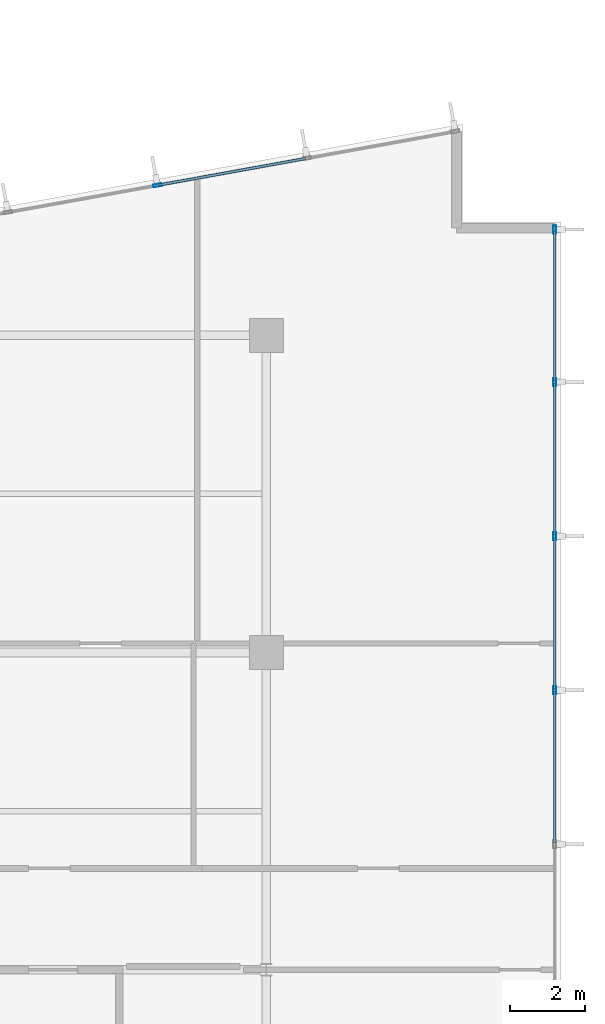
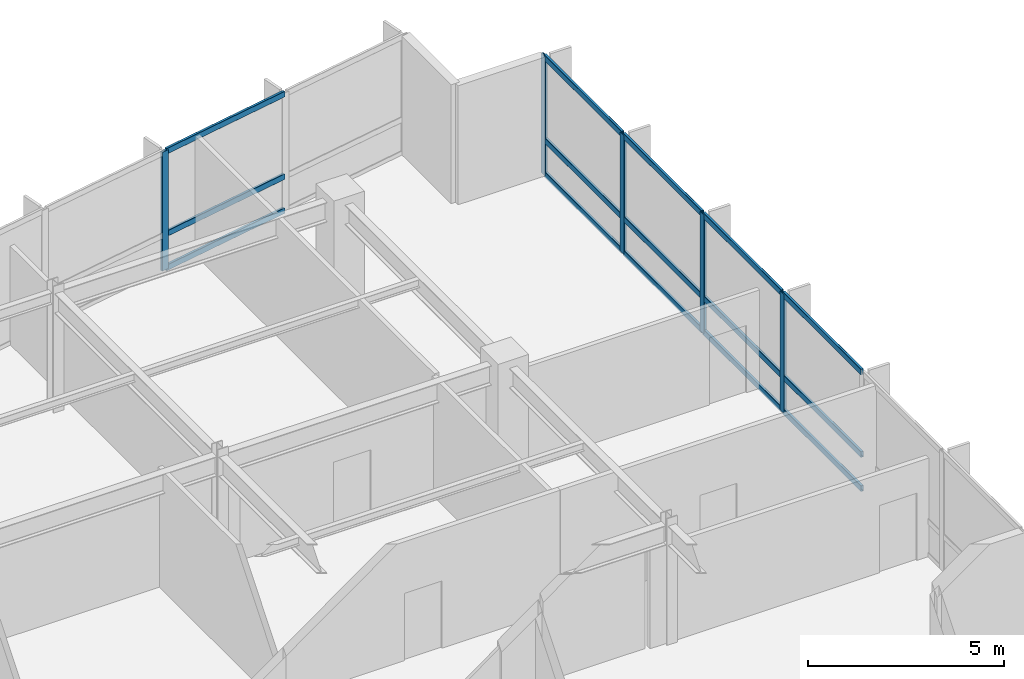
# One storey, part 9 of 21: 20 members, 2 elements without a shape of their own.
"""IFC4 building model written with IfcOpenShell, lengths in metres."""

from ifc_helpers import new_model, si_unit, direction, frame, origin, origin_2d, place, context, subcontext, project, spatial, hollow_rectangle, extrude, material, layer, layer_set, material_profile, profile_set, type_object, element, aggregate, save


model = new_model("IFC4")

# Units and contexts
model_context = context("Model", 3, precision=1e-05, world=origin(), true_north=direction((0.0, 1.0)))
body_context = subcontext(model_context, "Body", "Model", "MODEL_VIEW")
ifc_project = project(units=[si_unit("LENGTHUNIT", "METRE"), si_unit("AREAUNIT", "SQUARE_METRE"), si_unit("VOLUMEUNIT", "CUBIC_METRE"), si_unit("PLANEANGLEUNIT", "RADIAN"), si_unit("MASSUNIT", "GRAM", prefix="KILO")], contexts=[model_context])

# Site, building, storey
site_placement = place(None, origin())
site = spatial("IfcSite", under=ifc_project, at=site_placement, CompositionType="ELEMENT")
building_placement = place(site_placement, origin())
building = spatial("IfcBuilding", under=site, at=building_placement, Name="Varnakote Quay Hospital", CompositionType="ELEMENT")
storey_placement = place(building_placement, frame((0.0, 0.0, 77.800048828125)))
storey = spatial("IfcBuildingStorey", under=building, at=storey_placement, Name="L19", CompositionType="ELEMENT", Elevation=77.800048828125)

# Curtain wall, members
ifc_material_1 = material(Name="Anodised aluminium 6063-T6 Bronze", Category="aluminium")
ifc_layer = layer(ifc_material_1, 0.18994140625)
ifc_layer_set = layer_set([ifc_layer], Name="Anodised aluminium 6063-T6 Bronze")
curtain_wall_type = type_object("IfcCurtainWallType", Name="CW-SYS-2", PredefinedType="NOTDEFINED", material=ifc_layer_set)
curtain_wall_1_placement = place(storey_placement, origin())
curtain_wall_1 = element("IfcCurtainWall", 1, at=curtain_wall_1_placement, inside=storey, type_object=curtain_wall_type, Name="L19 Unitised Bronze Curtain Wall 1", PredefinedType="NOTDEFINED")
ifc_material_2 = material(Name="Anodised aluminium 6063-T6 Bronze", Category="aluminium")
ifc_material_profile_1 = material_profile(ifc_material_2, hollow_rectangle(XDim=0.074951171875, YDim=0.219970703125, WallThickness=0.00439453125, InnerFilletRadius=0.00439453125, OuterFilletRadius=0.009033203125, at=origin_2d()), Name="CW-MULL-220x75")
ifc_profile_set_1 = profile_set([ifc_material_profile_1], Name="Anodised aluminium 6063-T6 Bronze")
member_type_1 = type_object("IfcMemberType", Name="CW-MULL-220x75", PredefinedType="MULLION", material=ifc_profile_set_1)
member_1_placement = place(storey_placement, frame((58.0400390625, 19.39990234375, 0.0), z_axis=(0.0, 0.0, 1.0), x_axis=(-1.0, 0.0, 0.0)))
member_1 = element("IfcMember", 2, at=member_1_placement, type_object=member_type_1, Name="-2-L19-1 mullion 4", PredefinedType="MULLION", context=body_context, shape_type="SweptSolid", body=[
    extrude(hollow_rectangle(XDim=0.074951171875, YDim=0.219970703125, WallThickness=0.00439453125, InnerFilletRadius=0.00439453125, OuterFilletRadius=0.009033203125, at=origin_2d()), origin(), (0.0, 0.0, 1.0), 3.7099609375),
])
member_2_placement = place(storey_placement, frame((58.0400390625, 23.47998046875, 0.0), z_axis=(0.0, 0.0, 1.0), x_axis=(-1.0, 0.0, 0.0)))
member_2 = element("IfcMember", 3, at=member_2_placement, type_object=member_type_1, Name="-2-L19-1 mullion 5", PredefinedType="MULLION", context=body_context, shape_type="SweptSolid", body=[
    extrude(hollow_rectangle(XDim=0.074951171875, YDim=0.219970703125, WallThickness=0.00439453125, InnerFilletRadius=0.00439453125, OuterFilletRadius=0.009033203125, at=origin_2d()), origin(), (0.0, 0.0, 1.0), 3.7099609375),
])
member_3_placement = place(storey_placement, frame((58.0400390625, 27.56005859375, 0.0), z_axis=(0.0, 0.0, 1.0), x_axis=(-1.0, 0.0, 0.0)))
member_3 = element("IfcMember", 4, at=member_3_placement, type_object=member_type_1, Name="-2-L19-1 mullion 6", PredefinedType="MULLION", context=body_context, shape_type="SweptSolid", body=[
    extrude(hollow_rectangle(XDim=0.074951171875, YDim=0.219970703125, WallThickness=0.00439453125, InnerFilletRadius=0.00439453125, OuterFilletRadius=0.009033203125, at=origin_2d()), origin(), (0.0, 0.0, 1.0), 3.7099609375),
])
member_4_placement = place(storey_placement, frame((58.0400390625, 31.6025390625, 0.0), z_axis=(0.0, 0.0, 1.0), x_axis=(-1.0, 0.0, 0.0)))
member_4 = element("IfcMember", 5, at=member_4_placement, type_object=member_type_1, Name="-2-L19-1 mullion 7", PredefinedType="MULLION", context=body_context, shape_type="SweptSolid", body=[
    extrude(hollow_rectangle(XDim=0.074951171875, YDim=0.219970703125, WallThickness=0.00439453125, InnerFilletRadius=0.00439453125, OuterFilletRadius=0.009033203125, at=origin_2d()), origin(), (0.0, 0.0, 1.0), 3.7099609375),
])

# Curtain wall, member
curtain_wall_2_placement = place(storey_placement, origin())
curtain_wall_2 = element("IfcCurtainWall", 6, at=curtain_wall_2_placement, inside=storey, type_object=curtain_wall_type, Name="L19 Unitised Bronze Curtain Wall 2", PredefinedType="NOTDEFINED")
member_5_placement = place(storey_placement, frame((47.514892578125, 32.776123046875, 0.0), z_axis=(0.0, 0.0, 1.0), x_axis=(0.177846199098, -0.984058295766, 0.0)))
member_5 = element("IfcMember", 7, at=member_5_placement, type_object=member_type_1, Name="-2-L19-2 mullion 3", PredefinedType="MULLION", context=body_context, shape_type="SweptSolid", body=[
    extrude(hollow_rectangle(XDim=0.074951171875, YDim=0.219970703125, WallThickness=0.00439453125, InnerFilletRadius=0.00439453125, OuterFilletRadius=0.009033203125, at=origin_2d()), origin(), (0.0, 0.0, 1.0), 3.7099609375),
])

# Member
ifc_material_3 = material(Name="Anodised aluminium 6063-T6 Bronze", Category="aluminium")
ifc_material_profile_2 = material_profile(ifc_material_3, hollow_rectangle(XDim=0.074951171875, YDim=0.179931640625, WallThickness=0.004150390625, InnerFilletRadius=0.004150390625, OuterFilletRadius=0.00830078125, at=origin_2d()), Name="CW-TRAN-180x75")
ifc_profile_set_2 = profile_set([ifc_material_profile_2], Name="Anodised aluminium 6063-T6 Bronze")
member_type_2 = type_object("IfcMemberType", Name="CW-TRAN-180x75", PredefinedType="USERDEFINED", material=ifc_profile_set_2)
member_6_placement = place(storey_placement, frame((58.0400390625, 15.357421875, 0.037353515625), z_axis=(0.0, 1.0, 0.0), x_axis=(-1.0, 0.0, 0.0)))
member_6 = element("IfcMember", 8, at=member_6_placement, type_object=member_type_2, Name="-2-L19-1 transom 3.1", ObjectType="TRANSOM", PredefinedType="USERDEFINED", context=body_context, shape_type="SweptSolid", body=[
    extrude(hollow_rectangle(XDim=0.074951171875, YDim=0.179931640625, WallThickness=0.004150390625, InnerFilletRadius=0.004150390625, OuterFilletRadius=0.00830078125, at=origin_2d()), origin(), (0.0, 0.0, 1.0), 4.005126953125),
])

member_7_placement = place(storey_placement, frame((58.0400390625, 15.357421875, 1.099853515625), z_axis=(0.0, 1.0, 0.0), x_axis=(-1.0, 0.0, 0.0)))
member_7 = element("IfcMember", 9, at=member_7_placement, type_object=member_type_2, Name="-2-L19-1 transom 3.2", ObjectType="TRANSOM", PredefinedType="USERDEFINED", context=body_context, shape_type="SweptSolid", body=[
    extrude(hollow_rectangle(XDim=0.074951171875, YDim=0.179931640625, WallThickness=0.004150390625, InnerFilletRadius=0.004150390625, OuterFilletRadius=0.00830078125, at=origin_2d()), origin(), (0.0, 0.0, 1.0), 4.005126953125),
])

member_8_placement = place(storey_placement, frame((58.0400390625, 15.357421875, 3.67236328125), z_axis=(0.0, 1.0, 0.0), x_axis=(-1.0, 0.0, 0.0)))
member_8 = element("IfcMember", 10, at=member_8_placement, type_object=member_type_2, Name="-2-L19-1 transom 3.3", ObjectType="TRANSOM", PredefinedType="USERDEFINED", context=body_context, shape_type="SweptSolid", body=[
    extrude(hollow_rectangle(XDim=0.074951171875, YDim=0.179931640625, WallThickness=0.004150390625, InnerFilletRadius=0.004150390625, OuterFilletRadius=0.00830078125, at=origin_2d()), origin(), (0.0, 0.0, 1.0), 4.005126953125),
])

member_9_placement = place(storey_placement, frame((58.0400390625, 19.4375, 0.037353515625), z_axis=(0.0, 1.0, 0.0), x_axis=(-1.0, 0.0, 0.0)))
member_9 = element("IfcMember", 11, at=member_9_placement, type_object=member_type_2, Name="-2-L19-1 transom 4.1", ObjectType="TRANSOM", PredefinedType="USERDEFINED", context=body_context, shape_type="SweptSolid", body=[
    extrude(hollow_rectangle(XDim=0.074951171875, YDim=0.179931640625, WallThickness=0.004150390625, InnerFilletRadius=0.004150390625, OuterFilletRadius=0.00830078125, at=origin_2d()), origin(), (0.0, 0.0, 1.0), 4.0048828125),
])

member_10_placement = place(storey_placement, frame((58.0400390625, 19.4375, 1.099853515625), z_axis=(0.0, 1.0, 0.0), x_axis=(-1.0, 0.0, 0.0)))
member_10 = element("IfcMember", 12, at=member_10_placement, type_object=member_type_2, Name="-2-L19-1 transom 4.2", ObjectType="TRANSOM", PredefinedType="USERDEFINED", context=body_context, shape_type="SweptSolid", body=[
    extrude(hollow_rectangle(XDim=0.074951171875, YDim=0.179931640625, WallThickness=0.004150390625, InnerFilletRadius=0.004150390625, OuterFilletRadius=0.00830078125, at=origin_2d()), origin(), (0.0, 0.0, 1.0), 4.0048828125),
])

member_11_placement = place(storey_placement, frame((58.0400390625, 19.4375, 3.67236328125), z_axis=(0.0, 1.0, 0.0), x_axis=(-1.0, 0.0, 0.0)))
member_11 = element("IfcMember", 13, at=member_11_placement, type_object=member_type_2, Name="-2-L19-1 transom 4.3", ObjectType="TRANSOM", PredefinedType="USERDEFINED", context=body_context, shape_type="SweptSolid", body=[
    extrude(hollow_rectangle(XDim=0.074951171875, YDim=0.179931640625, WallThickness=0.004150390625, InnerFilletRadius=0.004150390625, OuterFilletRadius=0.00830078125, at=origin_2d()), origin(), (0.0, 0.0, 1.0), 4.0048828125),
])

member_12_placement = place(storey_placement, frame((58.0400390625, 23.517578125, 0.037353515625), z_axis=(0.0, 1.0, 0.0), x_axis=(-1.0, 0.0, 0.0)))
member_12 = element("IfcMember", 14, at=member_12_placement, type_object=member_type_2, Name="-2-L19-1 transom 5.1", ObjectType="TRANSOM", PredefinedType="USERDEFINED", context=body_context, shape_type="SweptSolid", body=[
    extrude(hollow_rectangle(XDim=0.074951171875, YDim=0.179931640625, WallThickness=0.004150390625, InnerFilletRadius=0.004150390625, OuterFilletRadius=0.00830078125, at=origin_2d()), origin(), (0.0, 0.0, 1.0), 4.0048828125),
])

member_13_placement = place(storey_placement, frame((58.0400390625, 23.517578125, 1.099853515625), z_axis=(0.0, 1.0, 0.0), x_axis=(-1.0, 0.0, 0.0)))
member_13 = element("IfcMember", 15, at=member_13_placement, type_object=member_type_2, Name="-2-L19-1 transom 5.2", ObjectType="TRANSOM", PredefinedType="USERDEFINED", context=body_context, shape_type="SweptSolid", body=[
    extrude(hollow_rectangle(XDim=0.074951171875, YDim=0.179931640625, WallThickness=0.004150390625, InnerFilletRadius=0.004150390625, OuterFilletRadius=0.00830078125, at=origin_2d()), origin(), (0.0, 0.0, 1.0), 4.0048828125),
])

member_14_placement = place(storey_placement, frame((58.0400390625, 23.517578125, 3.67236328125), z_axis=(0.0, 1.0, 0.0), x_axis=(-1.0, 0.0, 0.0)))
member_14 = element("IfcMember", 16, at=member_14_placement, type_object=member_type_2, Name="-2-L19-1 transom 5.3", ObjectType="TRANSOM", PredefinedType="USERDEFINED", context=body_context, shape_type="SweptSolid", body=[
    extrude(hollow_rectangle(XDim=0.074951171875, YDim=0.179931640625, WallThickness=0.004150390625, InnerFilletRadius=0.004150390625, OuterFilletRadius=0.00830078125, at=origin_2d()), origin(), (0.0, 0.0, 1.0), 4.0048828125),
])

member_15_placement = place(storey_placement, frame((58.0400390625, 27.597412109375, 0.037353515625), z_axis=(0.0, 1.0, 0.0), x_axis=(-1.0, 0.0, 0.0)))
member_15 = element("IfcMember", 17, at=member_15_placement, type_object=member_type_2, Name="-2-L19-1 transom 6.1", ObjectType="TRANSOM", PredefinedType="USERDEFINED", context=body_context, shape_type="SweptSolid", body=[
    extrude(hollow_rectangle(XDim=0.074951171875, YDim=0.179931640625, WallThickness=0.004150390625, InnerFilletRadius=0.004150390625, OuterFilletRadius=0.00830078125, at=origin_2d()), origin(), (0.0, 0.0, 1.0), 3.967529296875),
])

member_16_placement = place(storey_placement, frame((58.0400390625, 27.597412109375, 1.099853515625), z_axis=(0.0, 1.0, 0.0), x_axis=(-1.0, 0.0, 0.0)))
member_16 = element("IfcMember", 18, at=member_16_placement, type_object=member_type_2, Name="-2-L19-1 transom 6.2", ObjectType="TRANSOM", PredefinedType="USERDEFINED", context=body_context, shape_type="SweptSolid", body=[
    extrude(hollow_rectangle(XDim=0.074951171875, YDim=0.179931640625, WallThickness=0.004150390625, InnerFilletRadius=0.004150390625, OuterFilletRadius=0.00830078125, at=origin_2d()), origin(), (0.0, 0.0, 1.0), 3.967529296875),
])

member_17_placement = place(storey_placement, frame((58.0400390625, 27.597412109375, 3.67236328125), z_axis=(0.0, 1.0, 0.0), x_axis=(-1.0, 0.0, 0.0)))
member_17 = element("IfcMember", 19, at=member_17_placement, type_object=member_type_2, Name="-2-L19-1 transom 6.3", ObjectType="TRANSOM", PredefinedType="USERDEFINED", context=body_context, shape_type="SweptSolid", body=[
    extrude(hollow_rectangle(XDim=0.074951171875, YDim=0.179931640625, WallThickness=0.004150390625, InnerFilletRadius=0.004150390625, OuterFilletRadius=0.00830078125, at=origin_2d()), origin(), (0.0, 0.0, 1.0), 3.967529296875),
])

aggregate(curtain_wall_1, [member_1, member_2, member_3, member_4, member_6, member_7, member_8, member_9, member_10, member_11, member_12, member_13, member_14, member_15, member_16, member_17])

member_18_placement = place(storey_placement, frame((51.4404296875, 33.485595703125, 0.037353515625), z_axis=(-0.984065046829, -0.177808840079, 0.0), x_axis=(0.177808840079, -0.984065046829, 0.0)))
member_18 = element("IfcMember", 20, at=member_18_placement, type_object=member_type_2, Name="-2-L19-2 transom 2.1", ObjectType="TRANSOM", PredefinedType="USERDEFINED", context=body_context, shape_type="SweptSolid", body=[
    extrude(hollow_rectangle(XDim=0.074951171875, YDim=0.179931640625, WallThickness=0.004150390625, InnerFilletRadius=0.004150390625, OuterFilletRadius=0.00830078125, at=origin_2d()), origin(), (0.0, 0.0, 1.0), 3.95166015625),
])

member_19_placement = place(storey_placement, frame((51.4404296875, 33.485595703125, 1.099853515625), z_axis=(-0.984065046829, -0.177808840079, 0.0), x_axis=(0.177808840079, -0.984065046829, 0.0)))
member_19 = element("IfcMember", 21, at=member_19_placement, type_object=member_type_2, Name="-2-L19-2 transom 2.2", ObjectType="TRANSOM", PredefinedType="USERDEFINED", context=body_context, shape_type="SweptSolid", body=[
    extrude(hollow_rectangle(XDim=0.074951171875, YDim=0.179931640625, WallThickness=0.004150390625, InnerFilletRadius=0.004150390625, OuterFilletRadius=0.00830078125, at=origin_2d()), origin(), (0.0, 0.0, 1.0), 3.95166015625),
])

member_20_placement = place(storey_placement, frame((51.4404296875, 33.485595703125, 3.67236328125), z_axis=(-0.984065046829, -0.177808840079, 0.0), x_axis=(0.177808840079, -0.984065046829, 0.0)))
member_20 = element("IfcMember", 22, at=member_20_placement, type_object=member_type_2, Name="-2-L19-2 transom 2.3", ObjectType="TRANSOM", PredefinedType="USERDEFINED", context=body_context, shape_type="SweptSolid", body=[
    extrude(hollow_rectangle(XDim=0.074951171875, YDim=0.179931640625, WallThickness=0.004150390625, InnerFilletRadius=0.004150390625, OuterFilletRadius=0.00830078125, at=origin_2d()), origin(), (0.0, 0.0, 1.0), 3.95166015625),
])

aggregate(curtain_wall_2, [member_5, member_18, member_19, member_20])

save(model, "model.ifc")
